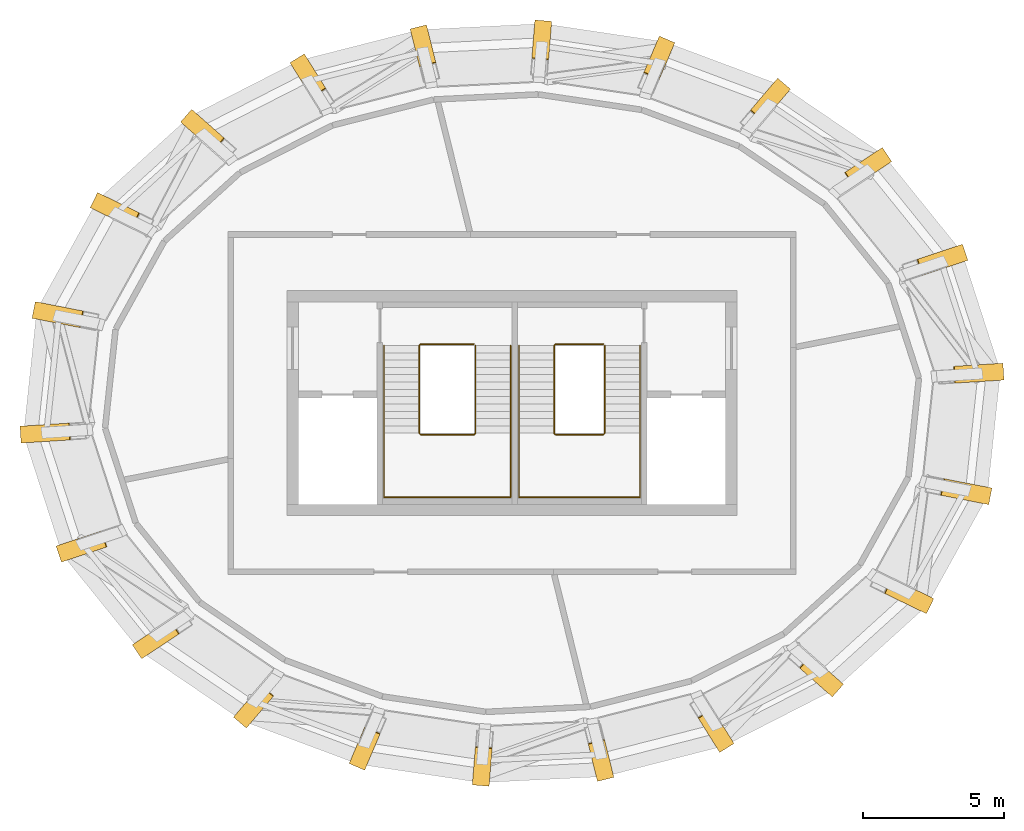
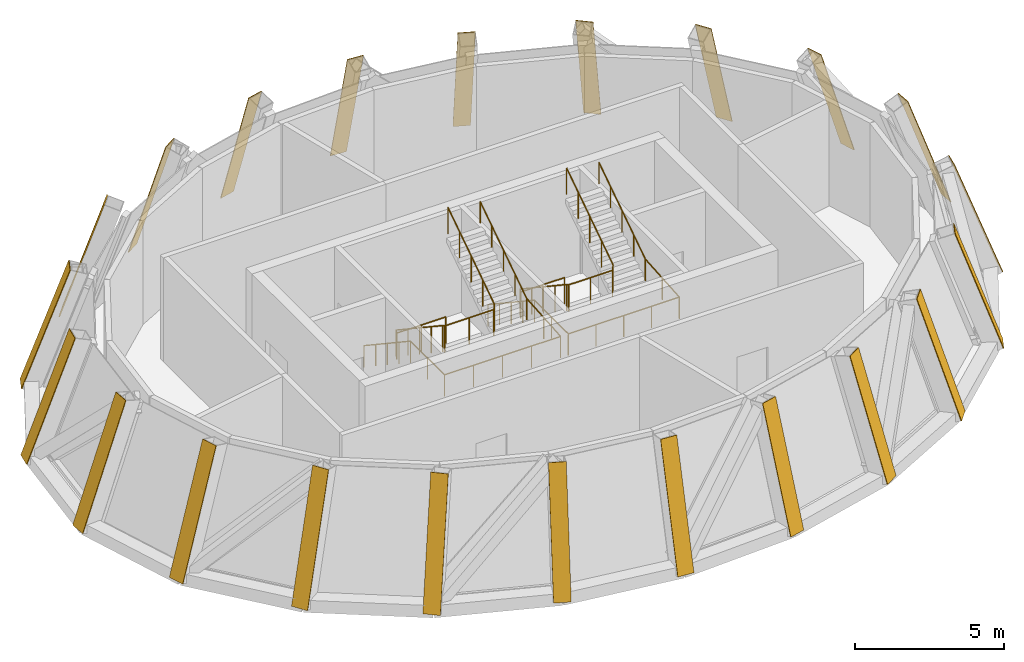
# One storey, part 6 of 6: 22 coverings, 4 railings.
"""IFC4 building model written with IfcOpenShell, lengths in metres."""

from ifc_helpers import new_model, si_unit, direction, frame, origin, origin_2d, place, context, subcontext, project, spatial, polyline, circle, outline, extrude, source, transform, mapped, material, layer, layer_set, type_object, element, save


model = new_model("IFC4")

# Units and contexts
model_context = context("Model", 3, precision=1e-05, world=origin(), true_north=direction((0.0, 1.0)))
body_context = subcontext(model_context, "Body", "Model", "MODEL_VIEW")
ifc_project = project(units=[si_unit("LENGTHUNIT", "METRE"), si_unit("AREAUNIT", "SQUARE_METRE"), si_unit("VOLUMEUNIT", "CUBIC_METRE"), si_unit("PLANEANGLEUNIT", "RADIAN"), si_unit("MASSUNIT", "GRAM", prefix="KILO")], contexts=[model_context])

# Site, building, storey
site_placement = place(None, origin())
site = spatial("IfcSite", under=ifc_project, at=site_placement, CompositionType="ELEMENT")
building_placement = place(site_placement, origin())
building = spatial("IfcBuilding", under=site, at=building_placement, Name="Embergate Tower", CompositionType="ELEMENT")
storey_placement = place(building_placement, frame((0.0, 0.0, 361.0)))
storey = spatial("IfcBuildingStorey", under=building, at=storey_placement, Name="L82", CompositionType="ELEMENT", Elevation=361.0)

# Coverings
ifc_material_1 = material(Name="Terracotta, extruded and fired", Category="masonry")
ifc_layer = layer(ifc_material_1, 0.030029296875)
ifc_layer_set = layer_set([ifc_layer], Name="Terracotta, extruded and fired")
covering_type = type_object("IfcCoveringType", Name="Terracotta hip facing", PredefinedType="CLADDING", material=ifc_layer_set)
shared_shape_1 = source(origin(), body_context, "Body", "SweptSolid", [
    extrude(outline(polyline([(0.0, 0.0), (4.977783203125, 0.0), (4.977783203125, -0.60009765625), (0.0, -0.60009765625), (0.0, 0.0)])), origin(), (0.0, 0.0, -1.0), 0.030029296875),
])
for number, where, z_axis, x_axis, name in (
    (1, (-3.04150390625, 13.45361328125, -0.0537109375), (-0.23246053682, 0.933364276625, 0.273483502137), (0.066064037626, -0.265384192721, 0.961876693338), "Hip facing L82-HP06"),
    (2, (3.04150390625, -13.45361328125, -0.0537109375), (0.23246053682, -0.933364276625, 0.273483502137), (-0.066064037626, 0.265384192721, 0.961876693338), "Hip facing L82-HP17"),
):
    element("IfcCovering", number, at=place(storey_placement, frame(where, z_axis=z_axis, x_axis=x_axis)), inside=storey, type_object=covering_type, Name=name, PredefinedType="CLADDING", context=body_context, shape_type="MappedRepresentation", body=[
        mapped(shared_shape_1, transform((0.0, 0.0, 0.0))),
    ])
shared_shape_2 = source(origin(), body_context, "Body", "SweptSolid", [
    extrude(outline(polyline([(0.0, 0.0), (5.087158203125, 0.0), (5.087158203125, -0.60009765625), (0.0, -0.60009765625), (0.0, 0.0)])), origin(), (0.0, 0.0, -1.0), 0.030029296875),
])
for number, where, z_axis, x_axis, name in (
    (3, (17.49853515625, 0.8212890625, -0.0283203125), (0.938121750066, 0.059469193696, 0.341161247879), (-0.340473889793, -0.021645573283, 0.94000478697), "Hip facing L82-HP00"),
    (4, (-17.49853515625, -0.8212890625, -0.0283203125), (-0.938121750066, -0.059469193696, 0.341161247879), (0.340473889793, 0.021645573283, 0.94000478697), "Hip facing L82-HP11"),
):
    element("IfcCovering", number, at=place(storey_placement, frame(where, z_axis=z_axis, x_axis=x_axis)), inside=storey, type_object=covering_type, Name=name, PredefinedType="CLADDING", context=body_context, shape_type="MappedRepresentation", body=[
        mapped(shared_shape_2, transform((0.0, 0.0, 0.0))),
    ])
shared_shape_3 = source(origin(), body_context, "Body", "SweptSolid", [
    extrude(outline(polyline([(0.0, 0.0), (5.069580078125, 0.0), (5.069580078125, -0.60009765625), (0.0, -0.60009765625), (0.0, 0.0)])), origin(), (0.0, 0.0, -1.0), 0.030029296875),
])
for number, where, z_axis, x_axis, name in (
    (5, (16.214111328125, 5.082763671875, -0.031494140625), (0.894904798351, 0.298173682813, 0.332020867967), (-0.315001910391, -0.104936426042, 0.943272040792), "Hip facing L82-HP01"),
    (6, (-16.214111328125, -5.082763671875, -0.031494140625), (-0.894904798351, -0.298173682813, 0.332020867967), (0.315001910391, 0.104936426042, 0.943272040792), "Hip facing L82-HP12"),
):
    element("IfcCovering", number, at=place(storey_placement, frame(where, z_axis=z_axis, x_axis=x_axis)), inside=storey, type_object=covering_type, Name=name, PredefinedType="CLADDING", context=body_context, shape_type="MappedRepresentation", body=[
        mapped(shared_shape_3, transform((0.0, 0.0, 0.0))),
    ])
shared_shape_4 = source(origin(), body_context, "Body", "SweptSolid", [
    extrude(outline(polyline([(0.0, 0.0), (5.039306640625, 0.0), (5.039306640625, -0.599853515625), (0.0, -0.599853515625), (0.0, 0.0)])), origin(), (0.0, 0.0, -1.0), 0.030029296875),
])
for number, where, z_axis, x_axis, name in (
    (7, (13.5048828125, 8.592041015625, -0.038330078125), (0.791290266456, 0.524500262068, 0.314259748142), (-0.261941086192, -0.173626198101, 0.949337037462), "Hip facing L82-HP02"),
    (8, (-13.5048828125, -8.592041015625, -0.038330078125), (-0.791290266456, -0.524500262068, 0.314259748142), (0.261941086192, 0.173626198101, 0.949337037462), "Hip facing L82-HP13"),
):
    element("IfcCovering", number, at=place(storey_placement, frame(where, z_axis=z_axis, x_axis=x_axis)), inside=storey, type_object=covering_type, Name=name, PredefinedType="CLADDING", context=body_context, shape_type="MappedRepresentation", body=[
        mapped(shared_shape_4, transform((0.0, 0.0, 0.0))),
    ])
shared_shape_5 = source(origin(), body_context, "Body", "SweptSolid", [
    extrude(outline(polyline([(0.0, 0.0), (5.00830078125, 0.0), (5.00830078125, -0.599853515625), (0.0, -0.60009765625), (0.0, 0.0)])), origin(), (0.0, 0.0, -1.0), 0.030029296875),
])
for number, where, z_axis, x_axis, name in (
    (9, (9.90478515625, 11.16748046875, -0.045654296875), (0.619589115498, 0.727487439659, 0.29473946647), (-0.191098313472, -0.224394268635, 0.955577650844), "Hip facing L82-HP03"),
    (10, (-9.90478515625, -11.16748046875, -0.045654296875), (-0.619589115498, -0.727487439659, 0.29473946647), (0.191098313472, 0.224394268635, 0.955577650844), "Hip facing L82-HP14"),
):
    element("IfcCovering", number, at=place(storey_placement, frame(where, z_axis=z_axis, x_axis=x_axis)), inside=storey, type_object=covering_type, Name=name, PredefinedType="CLADDING", context=body_context, shape_type="MappedRepresentation", body=[
        mapped(shared_shape_5, transform((0.0, 0.0, 0.0))),
    ])
shared_shape_6 = source(origin(), body_context, "Body", "SweptSolid", [
    extrude(outline(polyline([(0.0, 0.0), (4.985107421875, 0.0), (4.985107421875, -0.60009765625), (0.0, -0.60009765625), (0.0, 0.0)])), origin(), (0.0, 0.0, -1.0), 0.030029296875),
])
for number, where, z_axis, x_axis, name in (
    (11, (5.792236328125, 12.818115234375, -0.052001953125), (0.376357195641, 0.883638234003, 0.27845777543), (-0.109116271253, -0.256188157506, 0.960448471966), "Hip facing L82-HP04"),
    (12, (-5.792236328125, -12.818115234375, -0.052001953125), (-0.376357195641, -0.883638234003, 0.27845777543), (0.109116271253, 0.256188157506, 0.960448471966), "Hip facing L82-HP15"),
):
    element("IfcCovering", number, at=place(storey_placement, frame(where, z_axis=z_axis, x_axis=x_axis)), inside=storey, type_object=covering_type, Name=name, PredefinedType="CLADDING", context=body_context, shape_type="MappedRepresentation", body=[
        mapped(shared_shape_6, transform((0.0, 0.0, 0.0))),
    ])
shared_shape_7 = source(origin(), body_context, "Body", "SweptSolid", [
    extrude(outline(polyline([(0.0, 0.0), (4.973876953125, 0.0), (4.973876953125, -0.599853515625), (0.0, -0.599853515625), (0.0, 0.0)])), origin(), (0.0, 0.0, -1.0), 0.030029296875),
])
for number, where, z_axis, x_axis, name in (
    (13, (1.41259765625, 13.578369140625, -0.0546875), (0.077966626952, 0.959498841229, 0.270708660303), (-0.021892053307, -0.269822011279, 0.962661321666), "Hip facing L82-HP05"),
    (14, (-1.41259765625, -13.578369140625, -0.0546875), (-0.077966626952, -0.959498841229, 0.270708660303), (0.021892053307, 0.269822011279, 0.962661321666), "Hip facing L82-HP16"),
):
    element("IfcCovering", number, at=place(storey_placement, frame(where, z_axis=z_axis, x_axis=x_axis)), inside=storey, type_object=covering_type, Name=name, PredefinedType="CLADDING", context=body_context, shape_type="MappedRepresentation", body=[
        mapped(shared_shape_7, transform((0.0, 0.0, 0.0))),
    ])
shared_shape_8 = source(origin(), body_context, "Body", "SweptSolid", [
    extrude(outline(polyline([(0.0, 0.0), (4.996337890625, 0.0), (4.996337890625, -0.599853515625), (0.0, -0.60009765625), (0.0, 0.0)])), origin(), (0.0, 0.0, -1.0), 0.030029296875),
])
for number, where, z_axis, x_axis, name in (
    (15, (-7.386962890625, 12.423095703125, -0.0498046875), (-0.507534418932, 0.812873988678, 0.285735353307), (0.151298845952, -0.242390908568, 0.958308565472), "Hip facing L82-HP07"),
    (16, (7.386962890625, -12.423095703125, -0.0498046875), (0.507534418932, -0.812873988678, 0.285735353307), (-0.151298845952, 0.242390908568, 0.958308565472), "Hip facing L82-HP18"),
):
    element("IfcCovering", number, at=place(storey_placement, frame(where, z_axis=z_axis, x_axis=x_axis)), inside=storey, type_object=covering_type, Name=name, PredefinedType="CLADDING", context=body_context, shape_type="MappedRepresentation", body=[
        mapped(shared_shape_8, transform((0.0, 0.0, 0.0))),
    ])
shared_shape_9 = source(origin(), body_context, "Body", "SweptSolid", [
    extrude(outline(polyline([(0.0, 0.0), (5.02392578125, 0.0), (5.02392578125, -0.599853515625), (0.0, -0.599853515625), (0.0, 0.0)])), origin(), (0.0, 0.0, -1.0), 0.030029296875),
])
for number, where, z_axis, x_axis, name in (
    (17, (-11.391357421875, 10.447998046875, -0.04248046875), (-0.714532002626, 0.630013295858, 0.30418294539), (0.228106329813, -0.201233129901, 0.952613630875), "Hip facing L82-HP08"),
    (18, (11.391357421875, -10.447998046875, -0.04248046875), (0.714532002626, -0.630013295858, 0.30418294539), (-0.228106329813, 0.201233129901, 0.952613630875), "Hip facing L82-HP19"),
):
    element("IfcCovering", number, at=place(storey_placement, frame(where, z_axis=z_axis, x_axis=x_axis)), inside=storey, type_object=covering_type, Name=name, PredefinedType="CLADDING", context=body_context, shape_type="MappedRepresentation", body=[
        mapped(shared_shape_9, transform((0.0, 0.0, 0.0))),
    ])
shared_shape_10 = source(origin(), body_context, "Body", "SweptSolid", [
    extrude(outline(polyline([(0.0, 0.0), (5.056396484375, 0.0), (5.056396484375, -0.599853515625), (0.0, -0.60009765625), (0.0, 0.0)])), origin(), (0.0, 0.0, -1.0), 0.030029296875),
])
for number, where, z_axis, x_axis, name in (
    (19, (-14.739990234375, 7.490234375, -0.03515625), (-0.85113652659, 0.413150641498, 0.323841258233), (0.291331999747, -0.141417207083, 0.946111430786), "Hip facing L82-HP09"),
    (20, (14.739990234375, -7.490234375, -0.03515625), (0.85113652659, -0.413150641498, 0.323841258233), (-0.291331999747, 0.141417207083, 0.946111430786), "Hip facing L82-HP20"),
):
    element("IfcCovering", number, at=place(storey_placement, frame(where, z_axis=z_axis, x_axis=x_axis)), inside=storey, type_object=covering_type, Name=name, PredefinedType="CLADDING", context=body_context, shape_type="MappedRepresentation", body=[
        mapped(shared_shape_10, transform((0.0, 0.0, 0.0))),
    ])
shared_shape_11 = source(origin(), body_context, "Body", "SweptSolid", [
    extrude(outline(polyline([(0.0, 0.0), (5.081298828125, 0.0), (5.0810546875, -0.60009765625), (0.0, -0.60009765625), (0.0, 0.0)])), origin(), (0.0, 0.0, -1.0), 0.030029296875),
])
for number, where, z_axis, x_axis, name in (
    (21, (-16.954345703125, 3.60888671875, -0.029296875), (-0.923670876252, 0.180368566631, 0.338081783796), (0.331819684709, -0.064768742396, 0.941116733911), "Hip facing L82-HP10"),
    (22, (16.954345703125, -3.60888671875, -0.029296875), (0.923670876252, -0.180368566631, 0.338081783796), (-0.331819684709, 0.064768742396, 0.941116733911), "Hip facing L82-HP21"),
):
    element("IfcCovering", number, at=place(storey_placement, frame(where, z_axis=z_axis, x_axis=x_axis)), inside=storey, type_object=covering_type, Name=name, PredefinedType="CLADDING", context=body_context, shape_type="MappedRepresentation", body=[
        mapped(shared_shape_11, transform((0.0, 0.0, 0.0))),
    ])

# Railings
ifc_material_2 = material(Name="Stair guard 1100")
railing_type_1 = type_object("IfcRailingType", Name="Stair guard 1100", PredefinedType="GUARDRAIL", material=ifc_material_2)
shared_shape_12 = source(origin(), body_context, "Body", "SweptSolid", [
    extrude(circle(Radius=0.02392578125, at=origin_2d()), frame((0.0, 0.0, 1.076171875), z_axis=(-1.0, 0.0, 0.0), x_axis=(0.0, -1.0, 0.0)), (0.0, 0.0, 1.0), 1.699951171875),
    extrude(circle(Radius=0.02392578125, at=origin_2d()), frame((-1.699951171875, 0.0, 1.076171875), z_axis=(-0.267629722418, -0.267629722418, 0.925607186314), x_axis=(0.707106781187, -0.707106781187, 0.0)), (0.0, 0.0, 1.0), 0.18701171875),
    extrude(circle(Radius=0.02392578125, at=origin_2d()), frame((-1.75, -0.050048828125, 1.2490234375), z_axis=(0.0, -0.83244090515, 0.554113832559), x_axis=(1.0, 0.0, 0.0)), (0.0, 0.0, 1.0), 3.748046875),
    extrude(circle(Radius=0.02392578125, at=origin_2d()), frame((-1.75, -3.170166015625, 3.326171875), z_axis=(0.707106781187, -0.707106781187, 0.0), x_axis=(0.707106781187, 0.707106781187, 0.0)), (0.0, 0.0, 1.0), 0.07080078125),
    extrude(circle(Radius=0.02392578125, at=origin_2d()), frame((-1.699951171875, -3.22021484375, 3.326171875), z_axis=(1.0, 0.0, 0.0), x_axis=(0.0, 1.0, 0.0)), (0.0, 0.0, 1.0), 1.699951171875),
    extrude(circle(Radius=0.02392578125, at=origin_2d()), frame((0.0, -3.22021484375, 3.326171875), z_axis=(0.267629722418, 0.267629722418, 0.925607186314), x_axis=(-0.707106781187, 0.707106781187, 0.0)), (0.0, 0.0, 1.0), 0.18701171875),
    extrude(circle(Radius=0.02392578125, at=origin_2d()), frame((0.050048828125, -3.170166015625, 3.4990234375), z_axis=(0.0, 0.83244090515, 0.554113832559), x_axis=(-1.0, 0.0, 0.0)), (0.0, 0.0, 1.0), 3.748046875),
    extrude(circle(Radius=0.02099609375, at=origin_2d()), origin(), (0.0, 0.0, 1.0), 1.052001953125),
    extrude(circle(Radius=0.02099609375, at=origin_2d()), frame((-0.85009765625, 0.0, 0.0)), (0.0, 0.0, 1.0), 1.052001953125),
    extrude(circle(Radius=0.02099609375, at=origin_2d()), frame((-1.699951171875, 0.0, 0.0)), (0.0, 0.0, 1.0), 1.052001953125),
    extrude(circle(Radius=0.02099609375, at=origin_2d()), frame((-1.75, -0.050048828125, 0.173095703125)), (0.0, 0.0, 1.0), 1.052001953125),
    extrude(circle(Radius=0.02099609375, at=origin_2d()), frame((-1.75, -0.830078125, 0.6923828125)), (0.0, 0.0, 1.0), 1.052001953125),
    extrude(circle(Radius=0.02099609375, at=origin_2d()), frame((-1.75, -1.610107421875, 1.21142578125)), (0.0, 0.0, 1.0), 1.052001953125),
    extrude(circle(Radius=0.02099609375, at=origin_2d()), frame((-1.75, -2.39013671875, 1.730712890625)), (0.0, 0.0, 1.0), 1.052001953125),
    extrude(circle(Radius=0.02099609375, at=origin_2d()), frame((-1.75, -3.170166015625, 2.25)), (0.0, 0.0, 1.0), 1.052001953125),
    extrude(circle(Radius=0.02099609375, at=origin_2d()), frame((-1.699951171875, -3.22021484375, 2.25)), (0.0, 0.0, 1.0), 1.052001953125),
    extrude(circle(Radius=0.02099609375, at=origin_2d()), frame((-0.85009765625, -3.22021484375, 2.25)), (0.0, 0.0, 1.0), 1.052001953125),
    extrude(circle(Radius=0.02099609375, at=origin_2d()), frame((0.0, -3.22021484375, 2.25)), (0.0, 0.0, 1.0), 1.052001953125),
    extrude(circle(Radius=0.02099609375, at=origin_2d()), frame((0.050048828125, -3.170166015625, 2.423095703125)), (0.0, 0.0, 1.0), 1.052001953125),
    extrude(circle(Radius=0.02099609375, at=origin_2d()), frame((0.050048828125, -2.39013671875, 2.9423828125)), (0.0, 0.0, 1.0), 1.052001953125),
    extrude(circle(Radius=0.02099609375, at=origin_2d()), frame((0.050048828125, -1.610107421875, 3.46142578125)), (0.0, 0.0, 1.0), 1.052001953125),
    extrude(circle(Radius=0.02099609375, at=origin_2d()), frame((0.050048828125, -0.830078125, 3.980712890625)), (0.0, 0.0, 1.0), 1.052001953125),
    extrude(circle(Radius=0.02099609375, at=origin_2d()), frame((0.050048828125, -0.050048828125, 4.5)), (0.0, 0.0, 1.0), 1.052001953125),
])
railing_1_placement = place(storey_placement, frame((3.25, 2.10009765625, 0.0)))
element("IfcRailing", 23, at=railing_1_placement, inside=storey, type_object=railing_type_1, Name="L82 ST1 stair guard 1", PredefinedType="GUARDRAIL", context=body_context, shape_type="MappedRepresentation", body=[
    mapped(shared_shape_12, transform((0.0, 0.0, 0.0))),
])
ifc_material_3 = material(Name="Stair handrail 900")
railing_type_2 = type_object("IfcRailingType", Name="Stair handrail 900", PredefinedType="HANDRAIL", material=ifc_material_3)
shared_shape_13 = source(origin(), body_context, "Body", "SweptSolid", [
    extrude(circle(Radius=0.02392578125, at=origin_2d()), frame((0.0, 0.0, 0.8759765625), z_axis=(0.0, -0.83244090515, 0.554113832559), x_axis=(1.0, 0.0, 0.0)), (0.0, 0.0, 1.0), 3.748046875),
    extrude(circle(Radius=0.02392578125, at=origin_2d()), frame((0.0, -3.1201171875, 2.95263671875), z_axis=(0.0, -1.0, 0.0), x_axis=(1.0, 0.0, 0.0)), (0.0, 0.0, 1.0), 2.280029296875),
    extrude(circle(Radius=0.02392578125, at=origin_2d()), frame((0.0, -5.400146484375, 2.95263671875), z_axis=(1.0, 0.0, 0.0), x_axis=(0.0, 1.0, 0.0)), (0.0, 0.0, 1.0), 4.300048828125),
    extrude(circle(Radius=0.02392578125, at=origin_2d()), frame((4.300048828125, -5.400146484375, 2.95263671875), z_axis=(0.0, 0.997130611527, 0.075700353739), x_axis=(-1.0, 0.0, 0.0)), (0.0, 0.0, 1.0), 2.28662109375),
    extrude(circle(Radius=0.02392578125, at=origin_2d()), frame((4.300048828125, -3.1201171875, 3.1259765625), z_axis=(0.0, 0.83244090515, 0.554113832559), x_axis=(-1.0, 0.0, 0.0)), (0.0, 0.0, 1.0), 3.748046875),
    extrude(circle(Radius=0.02099609375, at=origin_2d()), origin(), (0.0, 0.0, 1.0), 0.851806640625),
    extrude(circle(Radius=0.02099609375, at=origin_2d()), frame((0.0, -0.780029296875, 0.519287109375)), (0.0, 0.0, 1.0), 0.851806640625),
    extrude(circle(Radius=0.02099609375, at=origin_2d()), frame((0.0, -1.56005859375, 1.03857421875)), (0.0, 0.0, 1.0), 0.851806640625),
    extrude(circle(Radius=0.02099609375, at=origin_2d()), frame((0.0, -2.340087890625, 1.5576171875)), (0.0, 0.0, 1.0), 0.851806640625),
    extrude(circle(Radius=0.02099609375, at=origin_2d()), frame((0.0, -3.1201171875, 2.076904296875)), (0.0, 0.0, 1.0), 0.851806640625),
    extrude(circle(Radius=0.02099609375, at=origin_2d()), frame((0.0, -4.26025390625, 2.076904296875)), (0.0, 0.0, 1.0), 0.851806640625),
    extrude(circle(Radius=0.02099609375, at=origin_2d()), frame((0.0, -5.400146484375, 2.076904296875)), (0.0, 0.0, 1.0), 0.851806640625),
    extrude(circle(Radius=0.02099609375, at=origin_2d()), frame((1.074951171875, -5.400146484375, 2.076904296875)), (0.0, 0.0, 1.0), 0.851806640625),
    extrude(circle(Radius=0.02099609375, at=origin_2d()), frame((2.14990234375, -5.400146484375, 2.076904296875)), (0.0, 0.0, 1.0), 0.851806640625),
    extrude(circle(Radius=0.02099609375, at=origin_2d()), frame((3.22509765625, -5.400146484375, 2.076904296875)), (0.0, 0.0, 1.0), 0.851806640625),
    extrude(circle(Radius=0.02099609375, at=origin_2d()), frame((4.300048828125, -5.400146484375, 2.076904296875)), (0.0, 0.0, 1.0), 0.851806640625),
    extrude(circle(Radius=0.02099609375, at=origin_2d()), frame((4.300048828125, -4.26025390625, 2.16357421875)), (0.0, 0.0, 1.0), 0.851806640625),
    extrude(circle(Radius=0.02099609375, at=origin_2d()), frame((4.300048828125, -3.1201171875, 2.25)), (0.0, 0.0, 1.0), 0.851806640625),
    extrude(circle(Radius=0.02099609375, at=origin_2d()), frame((4.300048828125, -2.340087890625, 2.769287109375)), (0.0, 0.0, 1.0), 0.851806640625),
    extrude(circle(Radius=0.02099609375, at=origin_2d()), frame((4.300048828125, -1.56005859375, 3.28857421875)), (0.0, 0.0, 1.0), 0.851806640625),
    extrude(circle(Radius=0.02099609375, at=origin_2d()), frame((4.300048828125, -0.780029296875, 3.8076171875)), (0.0, 0.0, 1.0), 0.851806640625),
    extrude(circle(Radius=0.02099609375, at=origin_2d()), frame((4.300048828125, 0.0, 4.326904296875)), (0.0, 0.0, 1.0), 0.851806640625),
])
railing_2_placement = place(storey_placement, frame((0.25, 2.050048828125, 0.173095703125)))
element("IfcRailing", 24, at=railing_2_placement, inside=storey, type_object=railing_type_2, Name="L82 ST1 stair handrail 1", PredefinedType="HANDRAIL", context=body_context, shape_type="MappedRepresentation", body=[
    mapped(shared_shape_13, transform((0.0, 0.0, 0.0))),
])
shared_shape_14 = source(origin(), body_context, "Body", "SweptSolid", [
    extrude(circle(Radius=0.02392578125, at=origin_2d()), frame((0.0, 0.0, 1.076171875), z_axis=(-1.0, 0.0, 0.0), x_axis=(0.0, -1.0, 0.0)), (0.0, 0.0, 1.0), 1.89990234375),
    extrude(circle(Radius=0.02392578125, at=origin_2d()), frame((-1.89990234375, 0.0, 1.076171875), z_axis=(-0.267629722418, -0.267629722418, 0.925607186314), x_axis=(0.707106781187, -0.707106781187, 0.0)), (0.0, 0.0, 1.0), 0.18701171875),
    extrude(circle(Radius=0.02392578125, at=origin_2d()), frame((-1.949951171875, -0.050048828125, 1.2490234375), z_axis=(0.0, -0.83244090515, 0.554113832559), x_axis=(1.0, 0.0, 0.0)), (0.0, 0.0, 1.0), 3.748046875),
    extrude(circle(Radius=0.02392578125, at=origin_2d()), frame((-1.949951171875, -3.170166015625, 3.326171875), z_axis=(0.707106781187, -0.707106781187, 0.0), x_axis=(0.707106781187, 0.707106781187, 0.0)), (0.0, 0.0, 1.0), 0.07080078125),
    extrude(circle(Radius=0.02392578125, at=origin_2d()), frame((-1.89990234375, -3.22021484375, 3.326171875), z_axis=(1.0, 0.0, 0.0), x_axis=(0.0, 1.0, 0.0)), (0.0, 0.0, 1.0), 1.89990234375),
    extrude(circle(Radius=0.02392578125, at=origin_2d()), frame((0.0, -3.22021484375, 3.326171875), z_axis=(0.267629722418, 0.267629722418, 0.925607186314), x_axis=(-0.707106781187, 0.707106781187, 0.0)), (0.0, 0.0, 1.0), 0.18701171875),
    extrude(circle(Radius=0.02392578125, at=origin_2d()), frame((0.050048828125, -3.170166015625, 3.4990234375), z_axis=(0.0, 0.83244090515, 0.554113832559), x_axis=(-1.0, 0.0, 0.0)), (0.0, 0.0, 1.0), 3.748046875),
    extrude(circle(Radius=0.02099609375, at=origin_2d()), origin(), (0.0, 0.0, 1.0), 1.052001953125),
    extrude(circle(Radius=0.02099609375, at=origin_2d()), frame((-0.949951171875, 0.0, 0.0)), (0.0, 0.0, 1.0), 1.052001953125),
    extrude(circle(Radius=0.02099609375, at=origin_2d()), frame((-1.89990234375, 0.0, 0.0)), (0.0, 0.0, 1.0), 1.052001953125),
    extrude(circle(Radius=0.02099609375, at=origin_2d()), frame((-1.949951171875, -0.050048828125, 0.173095703125)), (0.0, 0.0, 1.0), 1.052001953125),
    extrude(circle(Radius=0.02099609375, at=origin_2d()), frame((-1.949951171875, -0.830078125, 0.6923828125)), (0.0, 0.0, 1.0), 1.052001953125),
    extrude(circle(Radius=0.02099609375, at=origin_2d()), frame((-1.949951171875, -1.610107421875, 1.21142578125)), (0.0, 0.0, 1.0), 1.052001953125),
    extrude(circle(Radius=0.02099609375, at=origin_2d()), frame((-1.949951171875, -2.39013671875, 1.730712890625)), (0.0, 0.0, 1.0), 1.052001953125),
    extrude(circle(Radius=0.02099609375, at=origin_2d()), frame((-1.949951171875, -3.170166015625, 2.25)), (0.0, 0.0, 1.0), 1.052001953125),
    extrude(circle(Radius=0.02099609375, at=origin_2d()), frame((-1.89990234375, -3.22021484375, 2.25)), (0.0, 0.0, 1.0), 1.052001953125),
    extrude(circle(Radius=0.02099609375, at=origin_2d()), frame((-0.949951171875, -3.22021484375, 2.25)), (0.0, 0.0, 1.0), 1.052001953125),
    extrude(circle(Radius=0.02099609375, at=origin_2d()), frame((0.0, -3.22021484375, 2.25)), (0.0, 0.0, 1.0), 1.052001953125),
    extrude(circle(Radius=0.02099609375, at=origin_2d()), frame((0.050048828125, -3.170166015625, 2.423095703125)), (0.0, 0.0, 1.0), 1.052001953125),
    extrude(circle(Radius=0.02099609375, at=origin_2d()), frame((0.050048828125, -2.39013671875, 2.9423828125)), (0.0, 0.0, 1.0), 1.052001953125),
    extrude(circle(Radius=0.02099609375, at=origin_2d()), frame((0.050048828125, -1.610107421875, 3.46142578125)), (0.0, 0.0, 1.0), 1.052001953125),
    extrude(circle(Radius=0.02099609375, at=origin_2d()), frame((0.050048828125, -0.830078125, 3.980712890625)), (0.0, 0.0, 1.0), 1.052001953125),
    extrude(circle(Radius=0.02099609375, at=origin_2d()), frame((0.050048828125, -0.050048828125, 4.5)), (0.0, 0.0, 1.0), 1.052001953125),
])
railing_3_placement = place(storey_placement, frame((-1.35009765625, 2.10009765625, 0.0)))
element("IfcRailing", 25, at=railing_3_placement, inside=storey, type_object=railing_type_1, Name="L82 ST3 stair guard 1", PredefinedType="GUARDRAIL", context=body_context, shape_type="MappedRepresentation", body=[
    mapped(shared_shape_14, transform((0.0, 0.0, 0.0))),
])
shared_shape_15 = source(origin(), body_context, "Body", "SweptSolid", [
    extrude(circle(Radius=0.02392578125, at=origin_2d()), frame((0.0, 0.0, 0.8759765625), z_axis=(0.0, -0.83244090515, 0.554113832559), x_axis=(1.0, 0.0, 0.0)), (0.0, 0.0, 1.0), 3.748046875),
    extrude(circle(Radius=0.02392578125, at=origin_2d()), frame((0.0, -3.1201171875, 2.95263671875), z_axis=(0.0, -1.0, 0.0), x_axis=(1.0, 0.0, 0.0)), (0.0, 0.0, 1.0), 2.280029296875),
    extrude(circle(Radius=0.02392578125, at=origin_2d()), frame((0.0, -5.400146484375, 2.95263671875), z_axis=(1.0, 0.0, 0.0), x_axis=(0.0, 1.0, 0.0)), (0.0, 0.0, 1.0), 4.5),
    extrude(circle(Radius=0.02392578125, at=origin_2d()), frame((4.5, -5.400146484375, 2.95263671875), z_axis=(0.0, 0.997130611527, 0.075700353739), x_axis=(-1.0, 0.0, 0.0)), (0.0, 0.0, 1.0), 2.28662109375),
    extrude(circle(Radius=0.02392578125, at=origin_2d()), frame((4.5, -3.1201171875, 3.1259765625), z_axis=(0.0, 0.83244090515, 0.554113832559), x_axis=(-1.0, 0.0, 0.0)), (0.0, 0.0, 1.0), 3.748046875),
    extrude(circle(Radius=0.02099609375, at=origin_2d()), origin(), (0.0, 0.0, 1.0), 0.851806640625),
    extrude(circle(Radius=0.02099609375, at=origin_2d()), frame((0.0, -0.780029296875, 0.519287109375)), (0.0, 0.0, 1.0), 0.851806640625),
    extrude(circle(Radius=0.02099609375, at=origin_2d()), frame((0.0, -1.56005859375, 1.03857421875)), (0.0, 0.0, 1.0), 0.851806640625),
    extrude(circle(Radius=0.02099609375, at=origin_2d()), frame((0.0, -2.340087890625, 1.5576171875)), (0.0, 0.0, 1.0), 0.851806640625),
    extrude(circle(Radius=0.02099609375, at=origin_2d()), frame((0.0, -3.1201171875, 2.076904296875)), (0.0, 0.0, 1.0), 0.851806640625),
    extrude(circle(Radius=0.02099609375, at=origin_2d()), frame((0.0, -4.26025390625, 2.076904296875)), (0.0, 0.0, 1.0), 0.851806640625),
    extrude(circle(Radius=0.02099609375, at=origin_2d()), frame((0.0, -5.400146484375, 2.076904296875)), (0.0, 0.0, 1.0), 0.851806640625),
    extrude(circle(Radius=0.02099609375, at=origin_2d()), frame((1.125, -5.400146484375, 2.076904296875)), (0.0, 0.0, 1.0), 0.851806640625),
    extrude(circle(Radius=0.02099609375, at=origin_2d()), frame((2.25, -5.400146484375, 2.076904296875)), (0.0, 0.0, 1.0), 0.851806640625),
    extrude(circle(Radius=0.02099609375, at=origin_2d()), frame((3.375, -5.400146484375, 2.076904296875)), (0.0, 0.0, 1.0), 0.851806640625),
    extrude(circle(Radius=0.02099609375, at=origin_2d()), frame((4.5, -5.400146484375, 2.076904296875)), (0.0, 0.0, 1.0), 0.851806640625),
    extrude(circle(Radius=0.02099609375, at=origin_2d()), frame((4.5, -4.26025390625, 2.16357421875)), (0.0, 0.0, 1.0), 0.851806640625),
    extrude(circle(Radius=0.02099609375, at=origin_2d()), frame((4.5, -3.1201171875, 2.25)), (0.0, 0.0, 1.0), 0.851806640625),
    extrude(circle(Radius=0.02099609375, at=origin_2d()), frame((4.5, -2.340087890625, 2.769287109375)), (0.0, 0.0, 1.0), 0.851806640625),
    extrude(circle(Radius=0.02099609375, at=origin_2d()), frame((4.5, -1.56005859375, 3.28857421875)), (0.0, 0.0, 1.0), 0.851806640625),
    extrude(circle(Radius=0.02099609375, at=origin_2d()), frame((4.5, -0.780029296875, 3.8076171875)), (0.0, 0.0, 1.0), 0.851806640625),
    extrude(circle(Radius=0.02099609375, at=origin_2d()), frame((4.5, 0.0, 4.326904296875)), (0.0, 0.0, 1.0), 0.851806640625),
])
railing_4_placement = place(storey_placement, frame((-4.550048828125, 2.050048828125, 0.173095703125)))
element("IfcRailing", 26, at=railing_4_placement, inside=storey, type_object=railing_type_2, Name="L82 ST3 stair handrail 1", PredefinedType="HANDRAIL", context=body_context, shape_type="MappedRepresentation", body=[
    mapped(shared_shape_15, transform((0.0, 0.0, 0.0))),
])

save(model, "model.ifc")
